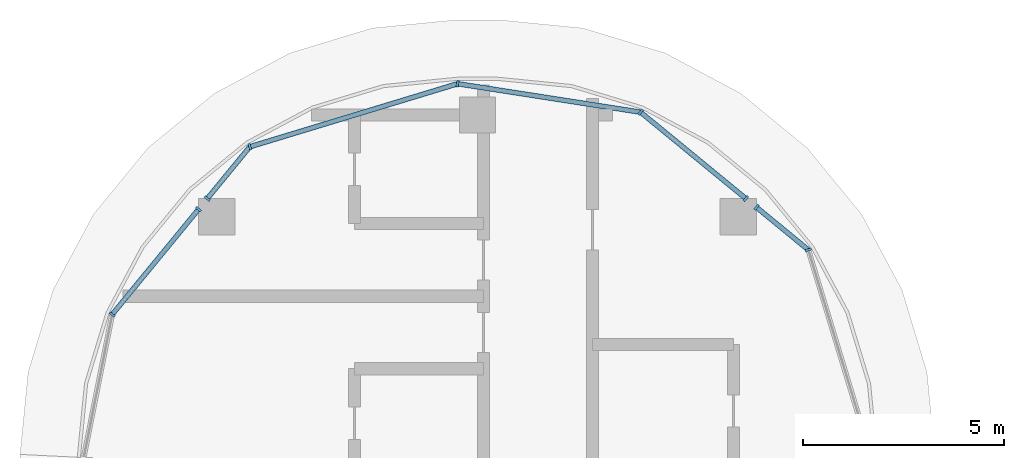
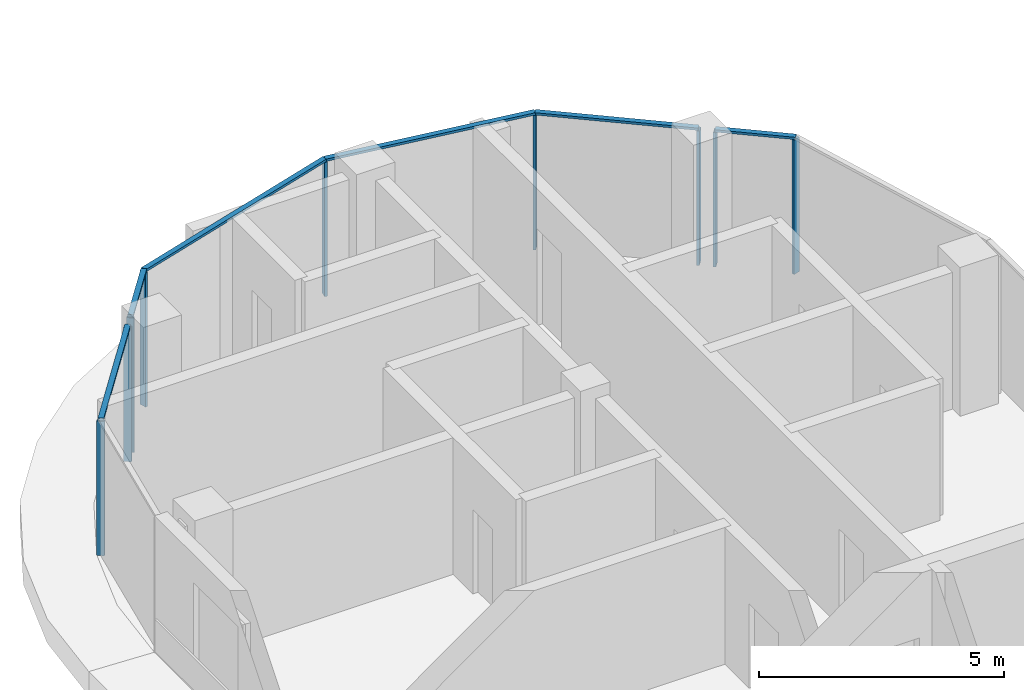
# One storey, part 6 of 22: 15 members, 3 elements without a shape of their own.
"""IFC4 building model written with IfcOpenShell, lengths in metres."""

from ifc_helpers import new_model, si_unit, direction, frame, origin, origin_2d, place, context, subcontext, project, spatial, rectangle, extrude, material, material_profile, profile_set, type_object, element, aggregate, save


model = new_model("IFC4")

# Units and contexts
model_context = context("Model", 3, precision=1e-05, world=origin(), true_north=direction((0.0, 1.0)))
body_context = subcontext(model_context, "Body", "Model", "MODEL_VIEW")
ifc_project = project(units=[si_unit("LENGTHUNIT", "METRE"), si_unit("AREAUNIT", "SQUARE_METRE"), si_unit("VOLUMEUNIT", "CUBIC_METRE"), si_unit("PLANEANGLEUNIT", "RADIAN"), si_unit("MASSUNIT", "GRAM", prefix="KILO")], contexts=[model_context])

# Site, building, storey
site_placement = place(None, origin())
site = spatial("IfcSite", under=ifc_project, at=site_placement, CompositionType="ELEMENT")
building_placement = place(site_placement, origin())
building = spatial("IfcBuilding", under=site, at=building_placement, Name="Ogive Portal Towers", CompositionType="ELEMENT")
storey_placement = place(building_placement, frame((0.0, 0.0, 206.89990234375)))
storey = spatial("IfcBuildingStorey", under=building, at=storey_placement, Name="L51", CompositionType="ELEMENT", Elevation=206.89990234375)

# Curtain wall, members
ifc_material_1 = material(Name="Glass, clear low-iron insulated glazing", Category="glass")
curtain_wall_type = type_object("IfcCurtainWallType", Name="CW FRONT RIBBON 4500", PredefinedType="NOTDEFINED", material=ifc_material_1)
curtain_wall_1_placement = place(storey_placement, origin())
curtain_wall_1 = element("IfcCurtainWall", 1, at=curtain_wall_1_placement, inside=storey, type_object=curtain_wall_type, Name="A:L51:f18:cwa~0", PredefinedType="NOTDEFINED")
ifc_material_2 = material(Name="Aluminium 6063 anodised", Category="aluminium")
ifc_material_profile_1 = material_profile(ifc_material_2, rectangle(XDim=0.159912109375, YDim=0.06005859375, at=origin_2d()), Name="AL 60x160")
ifc_profile_set_1 = profile_set([ifc_material_profile_1], Name="Aluminium 6063 anodised")
member_type_1 = type_object("IfcMemberType", Name="CW MULLION 60x160", PredefinedType="MULLION", material=ifc_profile_set_1)
member_1_placement = place(storey_placement, frame((48.708984375, 54.15087890625, 0.0), z_axis=(0.0, 0.0, 1.0), x_axis=(-0.956940335732, -0.290284677254, 0.0)))
member_1 = element("IfcMember", 2, at=member_1_placement, type_object=member_type_1, Name="mullion", PredefinedType="MULLION", context=body_context, shape_type="SweptSolid", body=[
    extrude(rectangle(XDim=0.159912109375, YDim=0.06005859375, at=origin_2d()), origin(), (0.0, 0.0, 1.0), 3.340087890625),
])
member_2_placement = place(storey_placement, frame((47.423095703125, 55.206298828125, 0.0), z_axis=(0.0, 0.0, 1.0), x_axis=(-0.634393284164, -0.773010453363, 0.0)))
member_2 = element("IfcMember", 3, at=member_2_placement, type_object=member_type_1, Name="mullion", PredefinedType="MULLION", context=body_context, shape_type="SweptSolid", body=[
    extrude(rectangle(XDim=0.159912109375, YDim=0.06005859375, at=origin_2d()), origin(), (0.0, 0.0, 1.0), 3.340087890625),
])

curtain_wall_2_placement = place(storey_placement, origin())
curtain_wall_2 = element("IfcCurtainWall", 4, at=curtain_wall_2_placement, inside=storey, type_object=curtain_wall_type, Name="A:L51:f18:cwa~1", PredefinedType="NOTDEFINED")
member_3_placement = place(storey_placement, frame((47.158935546875, 55.423095703125, 0.0), z_axis=(0.0, 0.0, 1.0), x_axis=(-0.634393284164, -0.773010453363, 0.0)))
member_3 = element("IfcMember", 5, at=member_3_placement, type_object=member_type_1, Name="mullion", PredefinedType="MULLION", context=body_context, shape_type="SweptSolid", body=[
    extrude(rectangle(XDim=0.159912109375, YDim=0.06005859375, at=origin_2d()), origin(), (0.0, 0.0, 1.0), 3.340087890625),
])
member_4_placement = place(storey_placement, frame((44.546142578125, 57.567138671875, 0.0), z_axis=(0.0, 0.0, 1.0), x_axis=(-0.634393284164, -0.773010453363, 0.0)))
member_4 = element("IfcMember", 6, at=member_4_placement, type_object=member_type_1, Name="mullion", PredefinedType="MULLION", context=body_context, shape_type="SweptSolid", body=[
    extrude(rectangle(XDim=0.159912109375, YDim=0.06005859375, at=origin_2d()), origin(), (0.0, 0.0, 1.0), 3.340087890625),
])
member_5_placement = place(storey_placement, frame((40.005859375, 58.273193359375, 0.0), z_axis=(0.0, 0.0, 1.0), x_axis=(-0.153635802256, -0.988127542509, 0.0)))
member_5 = element("IfcMember", 7, at=member_5_placement, type_object=member_type_1, Name="mullion", PredefinedType="MULLION", context=body_context, shape_type="SweptSolid", body=[
    extrude(rectangle(XDim=0.159912109375, YDim=0.06005859375, at=origin_2d()), origin(), (0.0, 0.0, 1.0), 3.340087890625),
])
member_6_placement = place(storey_placement, frame((34.84912109375, 56.708984375, 0.0), z_axis=(0.0, 0.0, 1.0), x_axis=(0.290284677254, -0.956940335732, 0.0)))
member_6 = element("IfcMember", 8, at=member_6_placement, type_object=member_type_1, Name="mullion", PredefinedType="MULLION", context=body_context, shape_type="SweptSolid", body=[
    extrude(rectangle(XDim=0.159912109375, YDim=0.06005859375, at=origin_2d()), origin(), (0.0, 0.0, 1.0), 3.340087890625),
])
member_7_placement = place(storey_placement, frame((33.793701171875, 55.423095703125, 0.0), z_axis=(0.0, 0.0, 1.0), x_axis=(0.773010453363, -0.634393284164, 0.0)))
member_7 = element("IfcMember", 9, at=member_7_placement, type_object=member_type_1, Name="mullion", PredefinedType="MULLION", context=body_context, shape_type="SweptSolid", body=[
    extrude(rectangle(XDim=0.159912109375, YDim=0.06005859375, at=origin_2d()), origin(), (0.0, 0.0, 1.0), 3.340087890625),
])

curtain_wall_3_placement = place(storey_placement, origin())
curtain_wall_3 = element("IfcCurtainWall", 10, at=curtain_wall_3_placement, inside=storey, type_object=curtain_wall_type, Name="A:L51:f18:cwa~2", PredefinedType="NOTDEFINED")
member_8_placement = place(storey_placement, frame((33.576904296875, 55.158935546875, 0.0), z_axis=(0.0, 0.0, 1.0), x_axis=(0.773010453363, -0.634393284164, 0.0)))
member_8 = element("IfcMember", 11, at=member_8_placement, type_object=member_type_1, Name="mullion", PredefinedType="MULLION", context=body_context, shape_type="SweptSolid", body=[
    extrude(rectangle(XDim=0.159912109375, YDim=0.06005859375, at=origin_2d()), origin(), (0.0, 0.0, 1.0), 3.340087890625),
])
member_9_placement = place(storey_placement, frame((31.431640625, 52.544677734375, 0.0), z_axis=(0.0, 0.0, 1.0), x_axis=(0.773010453363, -0.634393284164, 0.0)))
member_9 = element("IfcMember", 12, at=member_9_placement, type_object=member_type_1, Name="mullion", PredefinedType="MULLION", context=body_context, shape_type="SweptSolid", body=[
    extrude(rectangle(XDim=0.159912109375, YDim=0.06005859375, at=origin_2d()), origin(), (0.0, 0.0, 1.0), 3.340087890625),
])

# Member
ifc_material_profile_2 = material_profile(ifc_material_2, rectangle(XDim=0.1201171875, YDim=0.06005859375, at=origin_2d()), Name="AL 120x60")
ifc_profile_set_2 = profile_set([ifc_material_profile_2], Name="Aluminium 6063 anodised")
member_type_2 = type_object("IfcMemberType", Name="CW TRANSOM 60x120", PredefinedType="USERDEFINED", material=ifc_profile_set_2)
member_10_placement = place(storey_placement, frame((48.708984375, 54.15087890625, 3.3701171875), z_axis=(-0.772975560922, 0.634435798342, 0.0), x_axis=(-0.634435798342, -0.772975560922, 0.0)))
member_10 = element("IfcMember", 13, at=member_10_placement, type_object=member_type_2, Name="transom", ObjectType="TRANSOM", PredefinedType="USERDEFINED", context=body_context, shape_type="SweptSolid", body=[
    extrude(rectangle(XDim=0.1201171875, YDim=0.06005859375, at=origin_2d()), origin(), (0.0, 0.0, 1.0), 1.66357421875),
])

aggregate(curtain_wall_1, [member_10, member_1, member_2])

member_11_placement = place(storey_placement, frame((47.158935546875, 55.423095703125, 3.3701171875), z_axis=(-0.773042489408, 0.63435424612, 0.0), x_axis=(-0.63435424612, -0.773042489408, 0.0)))
member_11 = element("IfcMember", 14, at=member_11_placement, type_object=member_type_2, Name="transom", ObjectType="TRANSOM", PredefinedType="USERDEFINED", context=body_context, shape_type="SweptSolid", body=[
    extrude(rectangle(XDim=0.1201171875, YDim=0.06005859375, at=origin_2d()), origin(), (0.0, 0.0, 1.0), 3.3798828125),
])

member_12_placement = place(storey_placement, frame((44.546142578125, 57.567138671875, 3.3701171875), z_axis=(-0.988123461877, 0.153662045047, 0.0), x_axis=(-0.153662045047, -0.988123461877, 0.0)))
member_12 = element("IfcMember", 15, at=member_12_placement, type_object=member_type_2, Name="transom", ObjectType="TRANSOM", PredefinedType="USERDEFINED", context=body_context, shape_type="SweptSolid", body=[
    extrude(rectangle(XDim=0.1201171875, YDim=0.06005859375, at=origin_2d()), origin(), (0.0, 0.0, 1.0), 4.594970703125),
])

member_13_placement = place(storey_placement, frame((40.005859375, 58.273193359375, 3.3701171875), z_axis=(-0.956943968392, -0.290272701709, 0.0), x_axis=(0.290272701709, -0.956943968392, 0.0)))
member_13 = element("IfcMember", 16, at=member_13_placement, type_object=member_type_2, Name="transom", ObjectType="TRANSOM", PredefinedType="USERDEFINED", context=body_context, shape_type="SweptSolid", body=[
    extrude(rectangle(XDim=0.1201171875, YDim=0.06005859375, at=origin_2d()), origin(), (0.0, 0.0, 1.0), 5.388671875),
])

member_14_placement = place(storey_placement, frame((34.84912109375, 56.708984375, 3.3701171875), z_axis=(-0.634435798342, -0.772975560922, 0.0), x_axis=(0.772975560922, -0.634435798342, 0.0)))
member_14 = element("IfcMember", 17, at=member_14_placement, type_object=member_type_2, Name="transom", ObjectType="TRANSOM", PredefinedType="USERDEFINED", context=body_context, shape_type="SweptSolid", body=[
    extrude(rectangle(XDim=0.1201171875, YDim=0.06005859375, at=origin_2d()), origin(), (0.0, 0.0, 1.0), 1.66357421875),
])

aggregate(curtain_wall_2, [member_11, member_12, member_13, member_14, member_3, member_4, member_5, member_6, member_7])

member_15_placement = place(storey_placement, frame((33.576904296875, 55.158935546875, 3.3701171875), z_axis=(-0.634357543643, -0.773039783467, 0.0), x_axis=(0.773039783467, -0.634357543643, 0.0)))
member_15 = element("IfcMember", 18, at=member_15_placement, type_object=member_type_2, Name="transom", ObjectType="TRANSOM", PredefinedType="USERDEFINED", context=body_context, shape_type="SweptSolid", body=[
    extrude(rectangle(XDim=0.1201171875, YDim=0.06005859375, at=origin_2d()), origin(), (0.0, 0.0, 1.0), 3.3818359375),
])

aggregate(curtain_wall_3, [member_15, member_8, member_9])

save(model, "model.ifc")
